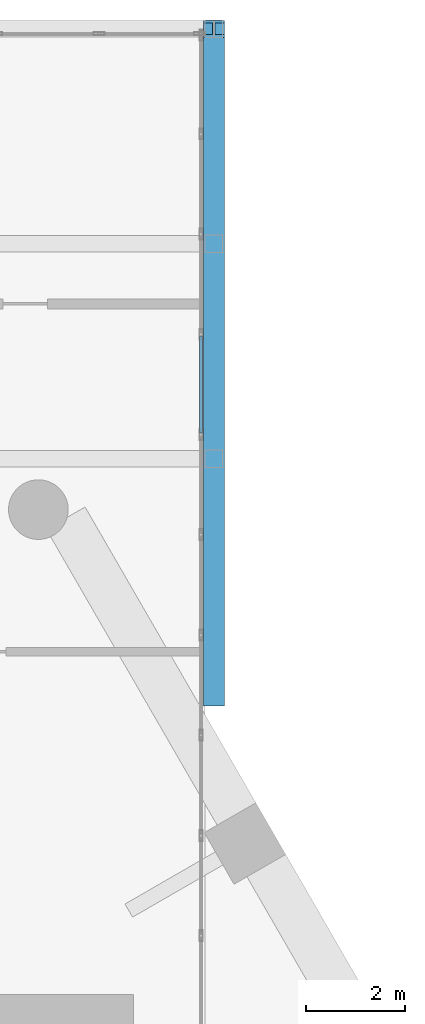
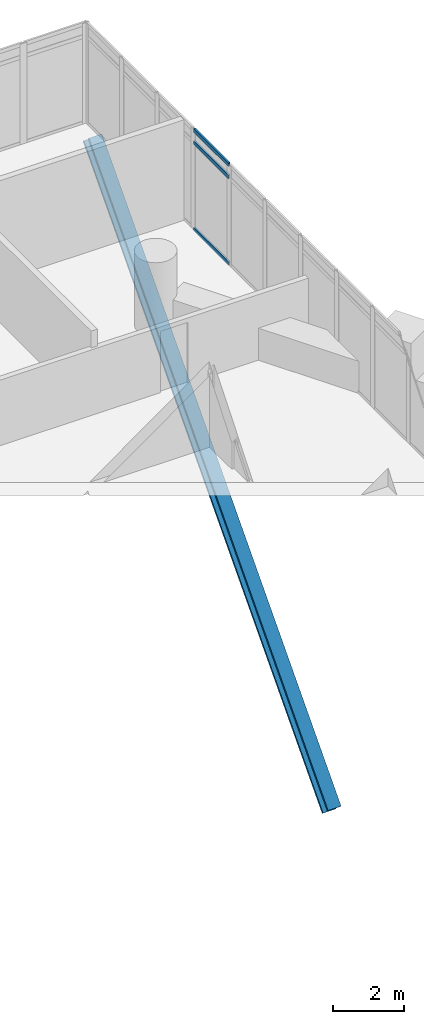
# One storey, part 25 of 37: 4 members, 1 element without a shape of its own.
"""IFC4 building model written with IfcOpenShell, lengths in metres."""

from ifc_helpers import new_model, si_unit, direction, frame, origin, origin_2d, place, context, subcontext, project, spatial, hollow_rectangle, i_section, extrude, material, material_profile, profile_set, type_object, element, aggregate, save


model = new_model("IFC4")

# Units and contexts
model_context = context("Model", 3, precision=1e-05, world=origin(), true_north=direction((0.0, 1.0)))
body_context = subcontext(model_context, "Body", "Model", "MODEL_VIEW")
ifc_project = project(units=[si_unit("LENGTHUNIT", "METRE"), si_unit("AREAUNIT", "SQUARE_METRE"), si_unit("VOLUMEUNIT", "CUBIC_METRE"), si_unit("PLANEANGLEUNIT", "RADIAN"), si_unit("MASSUNIT", "GRAM", prefix="KILO")], contexts=[model_context])

# Site, building, storey
site_placement = place(None, origin())
site = spatial("IfcSite", under=ifc_project, at=site_placement, CompositionType="ELEMENT")
building_placement = place(site_placement, origin())
building = spatial("IfcBuilding", under=site, at=building_placement, Name="Ostrander Bayou Hotel Tower", CompositionType="ELEMENT")
storey_placement = place(building_placement, frame((0.0, 0.0, 131.0)))
storey = spatial("IfcBuildingStorey", under=building, at=storey_placement, Name="L32", CompositionType="ELEMENT", Elevation=131.0)

# Curtain wall, members
ifc_material_1 = material(Name="Aluminium and clear glass", Category="aluminium")
curtain_wall_type = type_object("IfcCurtainWallType", Name="CW-BAR glazed wall", PredefinedType="NOTDEFINED", material=ifc_material_1)
curtain_wall_placement = place(storey_placement, origin())
curtain_wall = element("IfcCurtainWall", 1, at=curtain_wall_placement, inside=storey, type_object=curtain_wall_type, Name="CW-BAR L32:SB3N:W", PredefinedType="NOTDEFINED")
ifc_material_2 = material(Name="Aluminium", Category="aluminium")
ifc_material_profile_1 = material_profile(ifc_material_2, hollow_rectangle(XDim=0.06005859375, YDim=0.1298828125, WallThickness=0.00390625, at=origin_2d()))
ifc_profile_set_1 = profile_set([ifc_material_profile_1], Name="Aluminium")
member_type_1 = type_object("IfcMemberType", Name="CW-BR transom 60 x 130 mm", PredefinedType="USERDEFINED", material=ifc_profile_set_1)
member_1_placement = place(storey_placement, frame((13.3671875, 20.996826171875, 0.030029296875), z_axis=(0.0, 1.0, 0.0), x_axis=(-1.0, 0.0, 0.0)))
member_1 = element("IfcMember", 2, at=member_1_placement, type_object=member_type_1, Name="CW-BAR transom 7.1", ObjectType="TRANSOM", PredefinedType="USERDEFINED", context=body_context, shape_type="SweptSolid", body=[
    extrude(hollow_rectangle(XDim=0.06005859375, YDim=0.1298828125, WallThickness=0.00390625, at=origin_2d()), origin(), (0.0, 0.0, 1.0), 1.957763671875),
])
member_2_placement = place(storey_placement, frame((13.3671875, 20.996826171875, 3.0), z_axis=(0.0, 1.0, 0.0), x_axis=(-1.0, 0.0, 0.0)))
member_2 = element("IfcMember", 3, at=member_2_placement, type_object=member_type_1, Name="CW-BAR transom 7.2", ObjectType="TRANSOM", PredefinedType="USERDEFINED", context=body_context, shape_type="SweptSolid", body=[
    extrude(hollow_rectangle(XDim=0.06005859375, YDim=0.1298828125, WallThickness=0.00390625, at=origin_2d()), origin(), (0.0, 0.0, 1.0), 1.957763671875),
])
member_3_placement = place(storey_placement, frame((13.3671875, 20.996826171875, 3.419921875), z_axis=(0.0, 1.0, 0.0), x_axis=(-1.0, 0.0, 0.0)))
member_3 = element("IfcMember", 4, at=member_3_placement, type_object=member_type_1, Name="CW-BAR transom 7.3", ObjectType="TRANSOM", PredefinedType="USERDEFINED", context=body_context, shape_type="SweptSolid", body=[
    extrude(hollow_rectangle(XDim=0.06005859375, YDim=0.1298828125, WallThickness=0.00390625, at=origin_2d()), origin(), (0.0, 0.0, 1.0), 1.957763671875),
])
aggregate(curtain_wall, [member_1, member_2, member_3])

# Member
ifc_material_3 = material(Name="Steel ASTM A992", Category="steel")
ifc_material_profile_2 = material_profile(ifc_material_3, i_section(OverallWidth=0.42138671875, OverallDepth=0.464599609375, WebThickness=0.044921875, FlangeThickness=0.072509765625, at=origin_2d()))
ifc_profile_set_2 = profile_set([ifc_material_profile_2], Name="Steel ASTM A992")
member_type_2 = type_object("IfcMemberType", Name="TK1 bar kicker strut W14x398", PredefinedType="BRACE", material=ifc_profile_set_2)
member_4_placement = place(storey_placement, frame((13.6201171875, 29.13720703125, -0.671875), z_axis=(0.0, -0.669606038067, -0.74271646931), x_axis=(1.0, 0.0, 0.0)))
element("IfcMember", 5, at=member_4_placement, inside=storey, type_object=member_type_2, Name="TK1 SB3WB kicker", PredefinedType="BRACE", context=body_context, shape_type="SweptSolid", body=[
    extrude(i_section(OverallWidth=0.42138671875, OverallDepth=0.464599609375, WebThickness=0.044921875, FlangeThickness=0.072509765625, at=origin_2d()), origin(), (0.0, 0.0, 1.0), 20.099609375),
])

save(model, "model.ifc")
